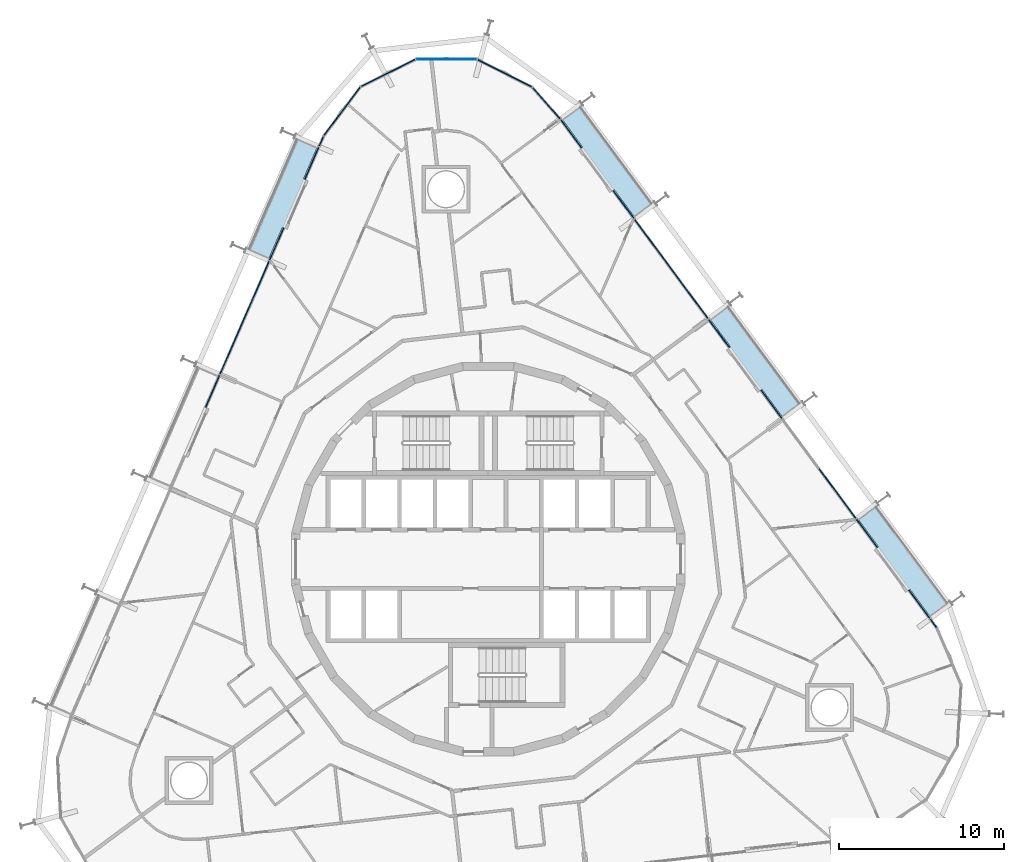
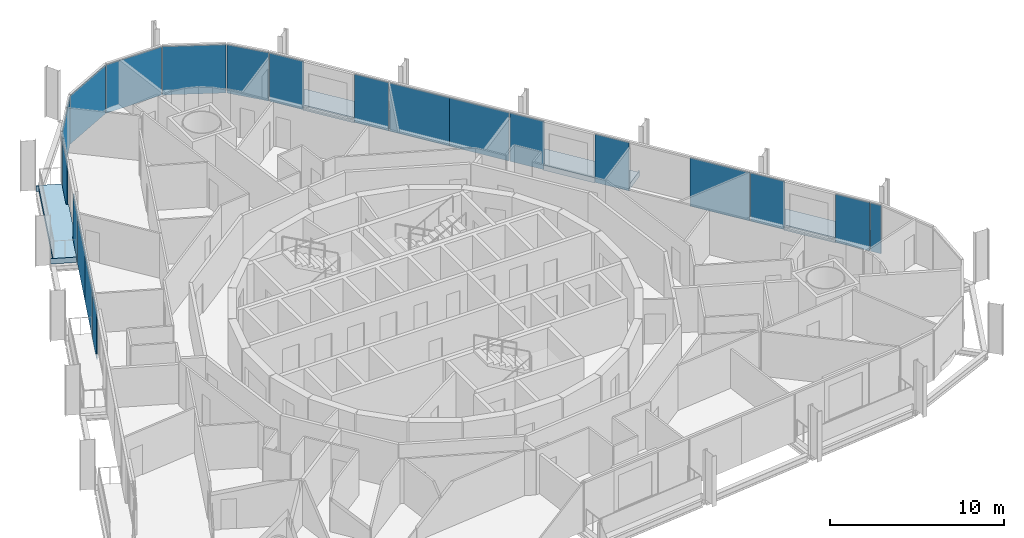
# One storey, part 15 of 24: 21 plates, 4 slabs, 4 elements without a shape of their own.
"""IFC4 building model written with IfcOpenShell, lengths in metres."""

from ifc_helpers import new_model, si_unit, direction, frame, origin, origin_2d, place, context, subcontext, project, spatial, polyline, rectangle, outline, extrude, material, layer, layer_set, type_object, element, aggregate, save


model = new_model("IFC4")

# Units and contexts
model_context = context("Model", 3, precision=1e-05, world=origin(), true_north=direction((0.0, 1.0)))
body_context = subcontext(model_context, "Body", "Model", "MODEL_VIEW")
ifc_project = project(units=[si_unit("LENGTHUNIT", "METRE"), si_unit("AREAUNIT", "SQUARE_METRE"), si_unit("VOLUMEUNIT", "CUBIC_METRE"), si_unit("PLANEANGLEUNIT", "RADIAN"), si_unit("MASSUNIT", "GRAM", prefix="KILO")], contexts=[model_context])

# Site, building, storey
site_placement = place(None, origin())
site = spatial("IfcSite", under=ifc_project, at=site_placement, CompositionType="ELEMENT")
building_placement = place(site_placement, origin())
building = spatial("IfcBuilding", under=site, at=building_placement, Name="Spindle Arch Residences", CompositionType="ELEMENT")
storey_placement = place(building_placement, frame((0.0, 0.0, 101.199951171875)))
storey = spatial("IfcBuildingStorey", under=building, at=storey_placement, Name="L24", CompositionType="ELEMENT", Elevation=101.199951171875)

# Slabs
ifc_material_1 = material(Name="Concrete C40/50", Category="concrete")
ifc_layer_1 = layer(ifc_material_1, 0.3798828125)
ifc_layer_set_1 = layer_set([ifc_layer_1], Name="Balcony slab 380")
slab_type = type_object("IfcSlabType", Name="Balcony slab 380", PredefinedType="FLOOR", material=ifc_layer_set_1)
slab_1_placement = place(storey_placement, frame((0.0, 0.0, -0.3798828125)))
element("IfcSlab", 1, at=slab_1_placement, inside=storey, type_object=slab_type, Name="Balcony L24 bay 6", PredefinedType="FLOOR", context=body_context, shape_type="SweptSolid", body=[
    extrude(outline(polyline([(27.94287109375, -2.613525390625), (27.8984375, -2.55322265625), (27.77783203125, -2.642578125), (23.48388671875, 3.160400390625), (23.6044921875, 3.24951171875), (23.559814453125, 3.309814453125), (22.362060546875, 2.423583984375), (23.601806640625, 0.748046875), (23.473388671875, 0.65283203125), (25.376708984375, -1.91943359375), (25.50537109375, -1.82421875), (26.7451171875, -3.499755859375), (27.94287109375, -2.613525390625)])), origin(), (0.0, 0.0, 1.0), 0.3798828125),
])
slab_2_placement = place(storey_placement, frame((0.0, 0.0, -0.3798828125)))
element("IfcSlab", 2, at=slab_2_placement, inside=storey, type_object=slab_type, Name="Balcony L24 bay 8", PredefinedType="FLOOR", context=body_context, shape_type="SweptSolid", body=[
    extrude(outline(polyline([(18.998291015625, 9.474609375), (18.95361328125, 9.534912109375), (18.8330078125, 9.445556640625), (14.5390625, 15.24853515625), (14.65966796875, 15.337646484375), (14.614990234375, 15.39794921875), (13.417236328125, 14.51171875), (14.6572265625, 12.836181640625), (14.528564453125, 12.740966796875), (16.431884765625, 10.168701171875), (16.560546875, 10.263916015625), (17.800537109375, 8.588134765625), (18.998291015625, 9.474609375)])), origin(), (0.0, 0.0, 1.0), 0.3798828125),
])
slab_3_placement = place(storey_placement, frame((0.0, 0.0, -0.3798828125)))
element("IfcSlab", 3, at=slab_3_placement, inside=storey, type_object=slab_type, Name="Balcony L24 bay 10", PredefinedType="FLOOR", context=body_context, shape_type="SweptSolid", body=[
    extrude(outline(polyline([(10.053466796875, 21.562744140625), (10.0087890625, 21.623046875), (9.88818359375, 21.53369140625), (5.594482421875, 27.336669921875), (5.71484375, 27.42578125), (5.67041015625, 27.486083984375), (4.47265625, 26.599853515625), (5.71240234375, 24.92431640625), (5.583740234375, 24.8291015625), (7.4873046875, 22.2568359375), (7.615966796875, 22.351806640625), (8.855712890625, 20.67626953125), (10.053466796875, 21.562744140625)])), origin(), (0.0, 0.0, 1.0), 0.3798828125),
])
slab_4_placement = place(storey_placement, frame((0.0, 0.0, -0.3798828125)))
element("IfcSlab", 4, at=slab_4_placement, inside=storey, type_object=slab_type, Name="Balcony L24 bay 14", PredefinedType="FLOOR", context=body_context, shape_type="SweptSolid", body=[
    extrude(outline(polyline([(-11.7080078125, 25.506103515625), (-11.738037109375, 25.437255859375), (-11.600341796875, 25.37744140625), (-14.47900390625, 18.75732421875), (-14.616455078125, 18.817138671875), (-14.646240234375, 18.74853515625), (-13.280029296875, 18.154296875), (-12.44873046875, 20.06591796875), (-12.302001953125, 20.001953125), (-11.026123046875, 22.9365234375), (-11.1728515625, 23.00048828125), (-10.341552734375, 24.911865234375), (-11.7080078125, 25.506103515625)])), origin(), (0.0, 0.0, 1.0), 0.3798828125),
])

# Curtain wall, plate
ifc_material_2 = material(Name="Aluminium bronze unitised frame with tinted glass", Category="aluminium")
ifc_layer_2 = layer(ifc_material_2, 0.159912109375)
ifc_layer_set_2 = layer_set([ifc_layer_2], Name="CW-D corner wall on the fillet arcs")
curtain_wall_type_1 = type_object("IfcCurtainWallType", Name="CW-D corner wall on the fillet arcs", PredefinedType="NOTDEFINED", material=ifc_layer_set_2)
curtain_wall_1_placement = place(storey_placement, origin())
curtain_wall_1 = element("IfcCurtainWall", 5, at=curtain_wall_1_placement, inside=storey, type_object=curtain_wall_type_1, Name="CW-D L24 run 1", PredefinedType="NOTDEFINED")
ifc_material_3 = material(Name="Tinted double glazing over aluminium faced non-combustible spandrel zone (K0)", Category="aluminium")
ifc_layer_3 = layer(ifc_material_3, 0.06005859375)
ifc_layer_set_3 = layer_set([ifc_layer_3], Name="Unitised glass panel with E 60 spandrel zone")
plate_type = type_object("IfcPlateType", Name="Unitised glass panel with E 60 spandrel zone", PredefinedType="CURTAIN_PANEL", material=ifc_layer_set_3)
plate_1_placement = place(storey_placement, frame((26.93408203125, -3.8896484375, -0.3798828125), z_axis=(0.0, 0.0, 1.0), x_axis=(-0.594822786751, 0.803856860617, 0.0)))
plate_1 = element("IfcPlate", 6, at=plate_1_placement, type_object=plate_type, Name="CW-D unit 05", PredefinedType="CURTAIN_PANEL", context=body_context, shape_type="SweptSolid", body=[
    extrude(rectangle(XDim=0.6416015625, YDim=0.06005859375, at=origin_2d()), origin(), (0.0, 0.0, 1.0), 3.3798828125),
])
aggregate(curtain_wall_1, [plate_1])

# Curtain wall, plates
ifc_material_4 = material(Name="Aluminium bronze unitised frame with tinted glass", Category="aluminium")
ifc_layer_4 = layer(ifc_material_4, 0.159912109375)
ifc_layer_set_4 = layer_set([ifc_layer_4], Name="CW-C typical residential unitised wall")
curtain_wall_type_2 = type_object("IfcCurtainWallType", Name="CW-C typical residential unitised wall", PredefinedType="NOTDEFINED", material=ifc_layer_set_4)
curtain_wall_2_placement = place(storey_placement, origin())
curtain_wall_2 = element("IfcCurtainWall", 7, at=curtain_wall_2_placement, inside=storey, type_object=curtain_wall_type_2, Name="CW-C L24 run 2", PredefinedType="NOTDEFINED")
plate_2_placement = place(storey_placement, frame((26.074462890625, -2.727783203125, -0.3798828125), z_axis=(0.0, 0.0, 1.0), x_axis=(-0.594822786751, 0.803856860617, 0.0)))
plate_2 = element("IfcPlate", 8, at=plate_2_placement, type_object=plate_type, Name="CW-C unit 05L", PredefinedType="CURTAIN_PANEL", context=body_context, shape_type="SweptSolid", body=[
    extrude(rectangle(XDim=2.12939453125, YDim=0.06005859375, at=origin_2d()), origin(), (0.0, 0.0, 1.0), 3.3798828125),
])
plate_3_placement = place(storey_placement, frame((22.904296875, 1.556396484375, -0.3798828125), z_axis=(0.0, 0.0, 1.0), x_axis=(-0.594822786751, 0.803856860617, 0.0)))
plate_3 = element("IfcPlate", 9, at=plate_3_placement, type_object=plate_type, Name="CW-C unit 05R", PredefinedType="CURTAIN_PANEL", context=body_context, shape_type="SweptSolid", body=[
    extrude(rectangle(XDim=2.12939453125, YDim=0.06005859375, at=origin_2d()), origin(), (0.0, 0.0, 1.0), 3.3798828125),
])
plate_4_placement = place(storey_placement, frame((21.126220703125, 3.95947265625, -0.3798828125), z_axis=(0.0, 0.0, 1.0), x_axis=(-0.594822786751, 0.803856860617, 0.0)))
plate_4 = element("IfcPlate", 10, at=plate_4_placement, type_object=plate_type, Name="CW-C unit 06A", PredefinedType="CURTAIN_PANEL", context=body_context, shape_type="SweptSolid", body=[
    extrude(rectangle(XDim=3.7294921875, YDim=0.06005859375, at=origin_2d()), origin(), (0.0, 0.0, 1.0), 3.3798828125),
])
plate_5_placement = place(storey_placement, frame((17.129638671875, 9.3603515625, -0.3798828125), z_axis=(0.0, 0.0, 1.0), x_axis=(-0.594822786751, 0.803856860617, 0.0)))
plate_5 = element("IfcPlate", 11, at=plate_5_placement, type_object=plate_type, Name="CW-C unit 07L", PredefinedType="CURTAIN_PANEL", context=body_context, shape_type="SweptSolid", body=[
    extrude(rectangle(XDim=2.12939453125, YDim=0.06005859375, at=origin_2d()), origin(), (0.0, 0.0, 1.0), 3.3798828125),
])
plate_6_placement = place(storey_placement, frame((13.95947265625, 13.64453125, -0.3798828125), z_axis=(0.0, 0.0, 1.0), x_axis=(-0.594822786751, 0.803856860617, 0.0)))
plate_6 = element("IfcPlate", 12, at=plate_6_placement, type_object=plate_type, Name="CW-C unit 07R", PredefinedType="CURTAIN_PANEL", context=body_context, shape_type="SweptSolid", body=[
    extrude(rectangle(XDim=2.12939453125, YDim=0.06005859375, at=origin_2d()), origin(), (0.0, 0.0, 1.0), 3.3798828125),
])
plate_7_placement = place(storey_placement, frame((12.181396484375, 16.047607421875, -0.3798828125), z_axis=(0.0, 0.0, 1.0), x_axis=(-0.594822786751, 0.803856860617, 0.0)))
plate_7 = element("IfcPlate", 13, at=plate_7_placement, type_object=plate_type, Name="CW-C unit 08A", PredefinedType="CURTAIN_PANEL", context=body_context, shape_type="SweptSolid", body=[
    extrude(rectangle(XDim=3.7294921875, YDim=0.06005859375, at=origin_2d()), origin(), (0.0, 0.0, 1.0), 3.3798828125),
])
plate_8_placement = place(storey_placement, frame((9.963134765625, 19.04541015625, -0.3798828125), z_axis=(0.0, 0.0, 1.0), x_axis=(-0.594822786751, 0.803856860617, 0.0)))
plate_8 = element("IfcPlate", 14, at=plate_8_placement, type_object=plate_type, Name="CW-C unit 08B", PredefinedType="CURTAIN_PANEL", context=body_context, shape_type="SweptSolid", body=[
    extrude(rectangle(XDim=3.7294921875, YDim=0.06005859375, at=origin_2d()), origin(), (0.0, 0.0, 1.0), 3.3798828125),
])
plate_9_placement = place(storey_placement, frame((8.184814453125, 21.448486328125, -0.3798828125), z_axis=(0.0, 0.0, 1.0), x_axis=(-0.594822786751, 0.803856860617, 0.0)))
plate_9 = element("IfcPlate", 15, at=plate_9_placement, type_object=plate_type, Name="CW-C unit 09L", PredefinedType="CURTAIN_PANEL", context=body_context, shape_type="SweptSolid", body=[
    extrude(rectangle(XDim=2.12939453125, YDim=0.06005859375, at=origin_2d()), origin(), (0.0, 0.0, 1.0), 3.3798828125),
])
plate_10_placement = place(storey_placement, frame((5.014892578125, 25.732666015625, -0.3798828125), z_axis=(0.0, 0.0, 1.0), x_axis=(-0.594822786751, 0.803856860617, 0.0)))
plate_10 = element("IfcPlate", 16, at=plate_10_placement, type_object=plate_type, Name="CW-C unit 09R", PredefinedType="CURTAIN_PANEL", context=body_context, shape_type="SweptSolid", body=[
    extrude(rectangle(XDim=2.12939453125, YDim=0.06005859375, at=origin_2d()), origin(), (0.0, 0.0, 1.0), 3.3798828125),
])
aggregate(curtain_wall_2, [plate_2, plate_3, plate_4, plate_5, plate_6, plate_7, plate_8, plate_9, plate_10])

curtain_wall_3_placement = place(storey_placement, origin())
curtain_wall_3 = element("IfcCurtainWall", 17, at=curtain_wall_3_placement, inside=storey, type_object=curtain_wall_type_1, Name="CW-D L24 run 3", PredefinedType="NOTDEFINED")
plate_11_placement = place(storey_placement, frame((3.513427734375, 27.57861328125, -0.3798828125), z_axis=(0.0, 0.0, 1.0), x_axis=(-0.660703891733, 0.750646632877, 0.0)))
plate_11 = element("IfcPlate", 18, at=plate_11_placement, type_object=plate_type, Name="CW-D unit 00", PredefinedType="CURTAIN_PANEL", context=body_context, shape_type="SweptSolid", body=[
    extrude(rectangle(XDim=2.51416015625, YDim=0.06005859375, at=origin_2d()), origin(), (0.0, 0.0, 1.0), 3.3798828125),
])
plate_12_placement = place(storey_placement, frame((1.000244140625, 29.385986328125, -0.3798828125), z_axis=(0.0, 0.0, 1.0), x_axis=(-0.892323355439, 0.451396753797, 0.0)))
plate_12 = element("IfcPlate", 19, at=plate_12_placement, type_object=plate_type, Name="CW-D unit 01", PredefinedType="CURTAIN_PANEL", context=body_context, shape_type="SweptSolid", body=[
    extrude(rectangle(XDim=3.666748046875, YDim=0.06005859375, at=origin_2d()), origin(), (0.0, 0.0, 1.0), 3.3798828125),
])
plate_13_placement = place(storey_placement, frame((-2.52587890625, 30.232421875, -0.3798828125), z_axis=(0.0, 0.0, 1.0), x_axis=(-0.999995769195, 0.002908881551, 0.0)))
plate_13 = element("IfcPlate", 20, at=plate_13_placement, type_object=plate_type, Name="CW-D unit 02", PredefinedType="CURTAIN_PANEL", context=body_context, shape_type="SweptSolid", body=[
    extrude(rectangle(XDim=3.666748046875, YDim=0.06005859375, at=origin_2d()), origin(), (0.0, 0.0, 1.0), 3.3798828125),
])
plate_14_placement = place(storey_placement, frame((-6.056884765625, 29.406494140625, -0.3798828125), z_axis=(0.0, 0.0, 1.0), x_axis=(-0.89493436175, -0.446197812813, 0.0)))
plate_14 = element("IfcPlate", 21, at=plate_14_placement, type_object=plate_type, Name="CW-D unit 03", PredefinedType="CURTAIN_PANEL", context=body_context, shape_type="SweptSolid", body=[
    extrude(rectangle(XDim=3.666748046875, YDim=0.06005859375, at=origin_2d()), origin(), (0.0, 0.0, 1.0), 3.3798828125),
])
plate_15_placement = place(storey_placement, frame((-8.841552734375, 27.08349609375, -0.3798828125), z_axis=(0.0, 0.0, 1.0), x_axis=(-0.599489340736, -0.800382739909, 0.0)))
plate_15 = element("IfcPlate", 22, at=plate_15_placement, type_object=plate_type, Name="CW-D unit 04", PredefinedType="CURTAIN_PANEL", context=body_context, shape_type="SweptSolid", body=[
    extrude(rectangle(XDim=3.666748046875, YDim=0.06005859375, at=origin_2d()), origin(), (0.0, 0.0, 1.0), 3.3798828125),
])
plate_16_placement = place(storey_placement, frame((-10.098388671875, 25.2705078125, -0.3798828125), z_axis=(0.0, 0.0, 1.0), x_axis=(-0.398749068925, -0.917060074385, 0.0)))
plate_16 = element("IfcPlate", 23, at=plate_16_placement, type_object=plate_type, Name="CW-D unit 05", PredefinedType="CURTAIN_PANEL", context=body_context, shape_type="SweptSolid", body=[
    extrude(rectangle(XDim=0.6416015625, YDim=0.06005859375, at=origin_2d()), origin(), (0.0, 0.0, 1.0), 3.3798828125),
])
aggregate(curtain_wall_3, [plate_11, plate_12, plate_13, plate_14, plate_15, plate_16])

curtain_wall_4_placement = place(storey_placement, origin())
curtain_wall_4 = element("IfcCurtainWall", 24, at=curtain_wall_4_placement, inside=storey, type_object=curtain_wall_type_2, Name="CW-C L24 run 4", PredefinedType="NOTDEFINED")
plate_17_placement = place(storey_placement, frame((-10.6748046875, 23.94482421875, -0.3798828125), z_axis=(0.0, 0.0, 1.0), x_axis=(-0.398749068925, -0.917060074385, 0.0)))
plate_17 = element("IfcPlate", 25, at=plate_17_placement, type_object=plate_type, Name="CW-C unit 13L", PredefinedType="CURTAIN_PANEL", context=body_context, shape_type="SweptSolid", body=[
    extrude(rectangle(XDim=2.12939453125, YDim=0.06005859375, at=origin_2d()), origin(), (0.0, 0.0, 1.0), 3.3798828125),
])
plate_18_placement = place(storey_placement, frame((-12.800048828125, 19.0576171875, -0.3798828125), z_axis=(0.0, 0.0, 1.0), x_axis=(-0.398749068925, -0.917060074385, 0.0)))
plate_18 = element("IfcPlate", 26, at=plate_18_placement, type_object=plate_type, Name="CW-C unit 13R", PredefinedType="CURTAIN_PANEL", context=body_context, shape_type="SweptSolid", body=[
    extrude(rectangle(XDim=2.12939453125, YDim=0.06005859375, at=origin_2d()), origin(), (0.0, 0.0, 1.0), 3.3798828125),
])
plate_19_placement = place(storey_placement, frame((-13.991943359375, 16.316162109375, -0.3798828125), z_axis=(0.0, 0.0, 1.0), x_axis=(-0.398749068925, -0.917060074385, 0.0)))
plate_19 = element("IfcPlate", 27, at=plate_19_placement, type_object=plate_type, Name="CW-C unit 14A", PredefinedType="CURTAIN_PANEL", context=body_context, shape_type="SweptSolid", body=[
    extrude(rectangle(XDim=3.7294921875, YDim=0.06005859375, at=origin_2d()), origin(), (0.0, 0.0, 1.0), 3.3798828125),
])
plate_20_placement = place(storey_placement, frame((-15.47900390625, 12.89599609375, -0.3798828125), z_axis=(0.0, 0.0, 1.0), x_axis=(-0.398749068925, -0.917060074385, 0.0)))
plate_20 = element("IfcPlate", 28, at=plate_20_placement, type_object=plate_type, Name="CW-C unit 14B", PredefinedType="CURTAIN_PANEL", context=body_context, shape_type="SweptSolid", body=[
    extrude(rectangle(XDim=3.7294921875, YDim=0.06005859375, at=origin_2d()), origin(), (0.0, 0.0, 1.0), 3.3798828125),
])
plate_21_placement = place(storey_placement, frame((-16.671142578125, 10.154541015625, -0.3798828125), z_axis=(0.0, 0.0, 1.0), x_axis=(-0.398749068925, -0.917060074385, 0.0)))
plate_21 = element("IfcPlate", 29, at=plate_21_placement, type_object=plate_type, Name="CW-C unit 15L", PredefinedType="CURTAIN_PANEL", context=body_context, shape_type="SweptSolid", body=[
    extrude(rectangle(XDim=2.12939453125, YDim=0.06005859375, at=origin_2d()), origin(), (0.0, 0.0, 1.0), 3.3798828125),
])
aggregate(curtain_wall_4, [plate_17, plate_18, plate_19, plate_20, plate_21])

save(model, "model.ifc")
